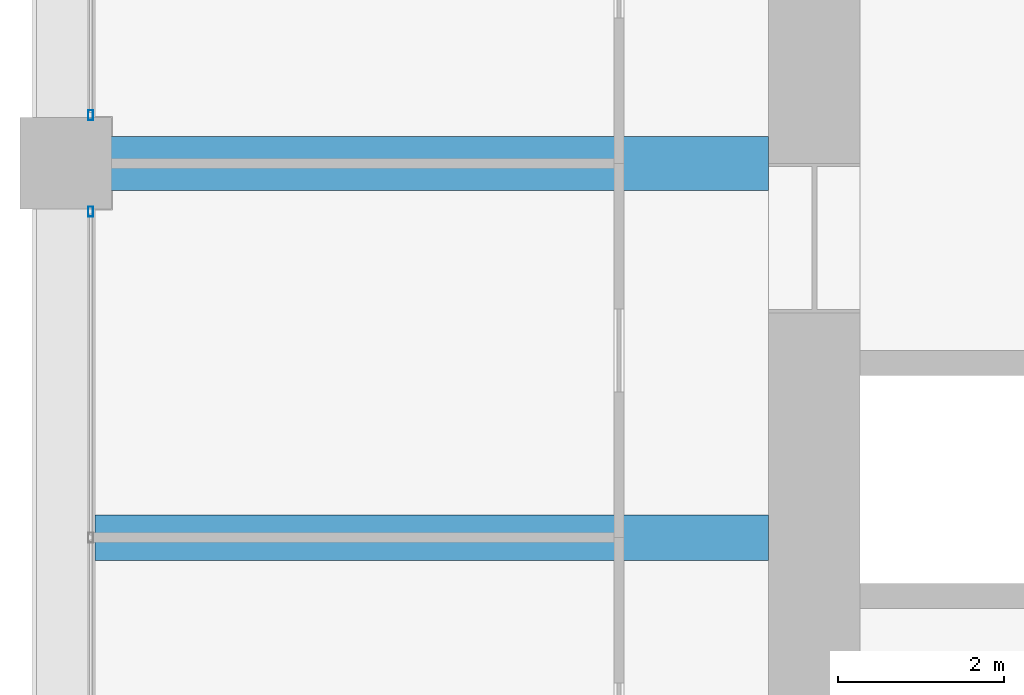
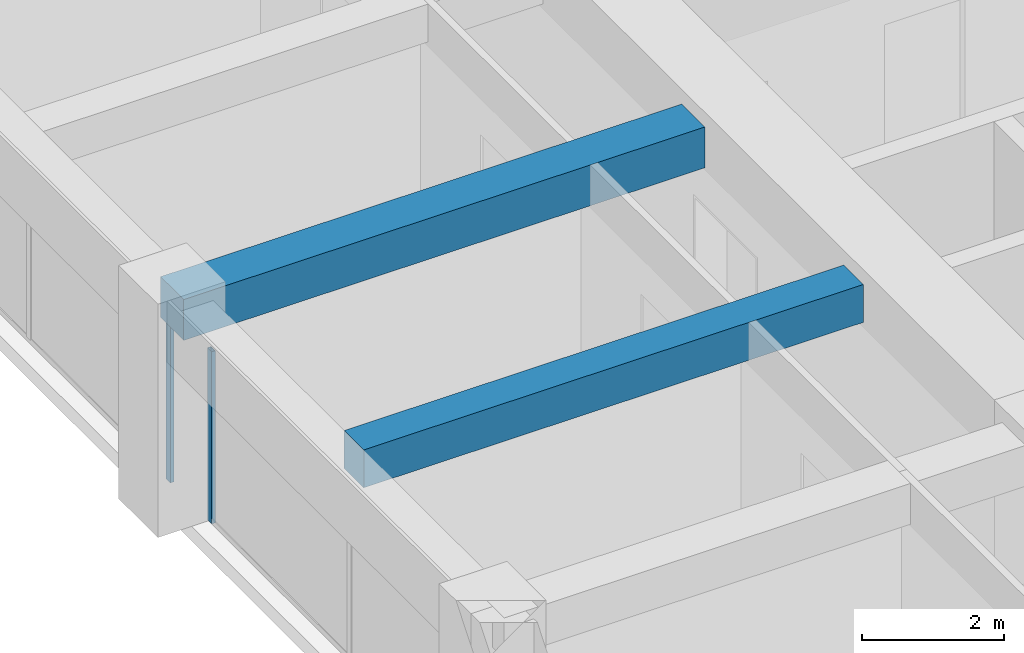
# One storey, part 15 of 44: 2 beams, 2 members, 2 elements without a shape of their own.
"""IFC4 building model written with IfcOpenShell, lengths in metres."""

from ifc_helpers import new_model, si_unit, direction, frame, origin, origin_2d, place, context, subcontext, project, spatial, rectangle, hollow_rectangle, extrude, material, material_profile, profile_set, type_object, element, aggregate, save


model = new_model("IFC4")

# Units and contexts
model_context = context("Model", 3, precision=1e-05, world=origin(), true_north=direction((0.0, 1.0)))
body_context = subcontext(model_context, "Body", "Model", "MODEL_VIEW")
ifc_project = project(units=[si_unit("LENGTHUNIT", "METRE"), si_unit("AREAUNIT", "SQUARE_METRE"), si_unit("VOLUMEUNIT", "CUBIC_METRE"), si_unit("PLANEANGLEUNIT", "RADIAN"), si_unit("MASSUNIT", "GRAM", prefix="KILO")], contexts=[model_context])

# Site, building, storey
site_placement = place(None, origin())
site = spatial("IfcSite", under=ifc_project, at=site_placement, CompositionType="ELEMENT")
building_placement = place(site_placement, origin())
building = spatial("IfcBuilding", under=site, at=building_placement, Name="Zorevar Civic Tower", CompositionType="ELEMENT")
storey_placement = place(building_placement, frame((0.0, 0.0, 259.39990234375)))
storey = spatial("IfcBuildingStorey", under=building, at=storey_placement, Name="L63", CompositionType="ELEMENT", Elevation=259.39990234375)

# Beams
ifc_material_1 = material(Name="Concrete C50/60", Category="concrete")
ifc_material_profile_1 = material_profile(ifc_material_1, rectangle(XDim=0.550048828125, YDim=0.64990234375, at=origin_2d()), Name="RC 550x650")
ifc_profile_set_1 = profile_set([ifc_material_profile_1], Name="Concrete C50/60")
beam_type_1 = type_object("IfcBeamType", Name="Beam RC 550x650", PredefinedType="BEAM", material=ifc_profile_set_1)
beam_1_placement = place(storey_placement, frame((9.35009765625, 22.5, 3.425048828125), z_axis=(1.0, 0.0, 0.0), x_axis=(0.0, 1.0, 0.0)))
element("IfcBeam", 1, at=beam_1_placement, inside=storey, type_object=beam_type_1, Name="Secondary beam L64", PredefinedType="BEAM", context=body_context, shape_type="SweptSolid", body=[
    extrude(rectangle(XDim=0.550048828125, YDim=0.64990234375, at=origin_2d()), origin(), (0.0, 0.0, 1.0), 8.099853515625),
])
ifc_material_2 = material(Name="Concrete C50/60", Category="concrete")
ifc_material_profile_2 = material_profile(ifc_material_2, rectangle(XDim=0.64990234375, YDim=0.699951171875, at=origin_2d()), Name="RC 650x700")
ifc_profile_set_2 = profile_set([ifc_material_profile_2], Name="Concrete C50/60")
beam_type_2 = type_object("IfcBeamType", Name="Beam RC 650x700", PredefinedType="BEAM", material=ifc_profile_set_2)
beam_2_placement = place(storey_placement, frame((9.0, 27.0, 3.400146484375), z_axis=(1.0, 0.0, 0.0), x_axis=(0.0, 1.0, 0.0)))
element("IfcBeam", 2, at=beam_2_placement, inside=storey, type_object=beam_type_2, Name="Girder L64", PredefinedType="BEAM", context=body_context, shape_type="SweptSolid", body=[
    extrude(rectangle(XDim=0.64990234375, YDim=0.699951171875, at=origin_2d()), origin(), (0.0, 0.0, 1.0), 8.449951171875),
])

# Curtain wall, member
ifc_material_3 = material(Name="Dark grey solar-control glass in black aluminium frame", Category="aluminium")
curtain_wall_type = type_object("IfcCurtainWallType", Name="Curtain wall CW5 top zone", PredefinedType="NOTDEFINED", material=ifc_material_3)
curtain_wall_1_placement = place(storey_placement, origin())
curtain_wall_1 = element("IfcCurtainWall", 3, at=curtain_wall_1_placement, inside=storey, type_object=curtain_wall_type, Name="CW5 L63", PredefinedType="NOTDEFINED")
ifc_material_4 = material(Name="Aluminium, black anodised", Category="aluminium")
ifc_material_profile_3 = material_profile(ifc_material_4, hollow_rectangle(XDim=0.06005859375, YDim=0.1201171875, WallThickness=0.0029296875, at=origin_2d()), Name="AL 120x60x3")
ifc_profile_set_3 = profile_set([ifc_material_profile_3], Name="Aluminium, black anodised")
member_type = type_object("IfcMemberType", Name="CW5 mullion AL 120x60x3", PredefinedType="MULLION", material=ifc_profile_set_3)
member_1_placement = place(storey_placement, frame((9.300048828125, 26.419921875, 0.0), z_axis=(0.0, 0.0, 1.0), x_axis=(-1.0, 0.0, 0.0)))
member_1 = element("IfcMember", 4, at=member_1_placement, type_object=member_type, Name="CW5 mullion 3", PredefinedType="MULLION", context=body_context, shape_type="SweptSolid", body=[
    extrude(hollow_rectangle(XDim=0.06005859375, YDim=0.1201171875, WallThickness=0.0029296875, at=origin_2d()), origin(), (0.0, 0.0, 1.0), 2.9501953125),
])
aggregate(curtain_wall_1, [member_1])

curtain_wall_2_placement = place(storey_placement, origin())
curtain_wall_2 = element("IfcCurtainWall", 5, at=curtain_wall_2_placement, inside=storey, type_object=curtain_wall_type, Name="CW5 L63", PredefinedType="NOTDEFINED")
member_2_placement = place(storey_placement, frame((9.300048828125, 27.580078125, 0.0), z_axis=(0.0, 0.0, 1.0), x_axis=(-1.0, 0.0, 0.0)))
member_2 = element("IfcMember", 6, at=member_2_placement, type_object=member_type, Name="CW5 mullion 1", PredefinedType="MULLION", context=body_context, shape_type="SweptSolid", body=[
    extrude(hollow_rectangle(XDim=0.06005859375, YDim=0.1201171875, WallThickness=0.0029296875, at=origin_2d()), origin(), (0.0, 0.0, 1.0), 2.9501953125),
])
aggregate(curtain_wall_2, [member_2])

save(model, "model.ifc")
